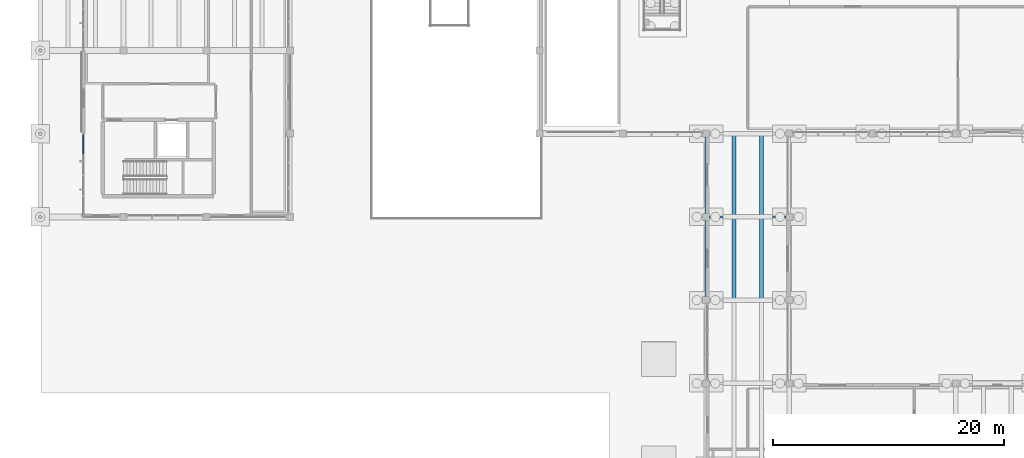
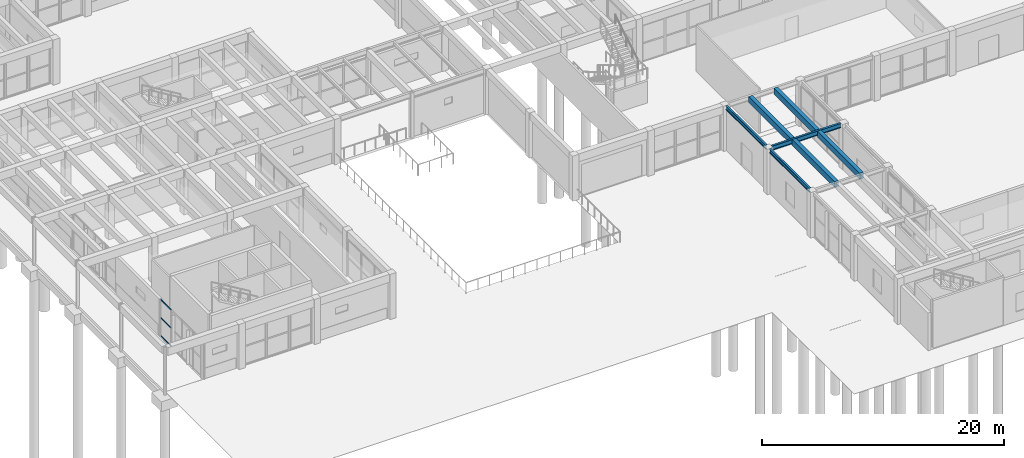
# One storey, part 17 of 155: 7 beams, 3 members, 1 element without a shape of its own.
"""IFC4 building model written with IfcOpenShell, lengths in metres."""

from ifc_helpers import new_model, si_unit, direction, frame, origin, origin_2d, place, context, subcontext, project, spatial, rectangle, hollow_rectangle, i_section, extrude, material, material_profile, profile_set, type_object, element, aggregate, save


model = new_model("IFC4")

# Units and contexts
model_context = context("Model", 3, precision=1e-05, world=origin(), true_north=direction((0.0, 1.0)))
body_context = subcontext(model_context, "Body", "Model", "MODEL_VIEW")
ifc_project = project(units=[si_unit("LENGTHUNIT", "METRE"), si_unit("AREAUNIT", "SQUARE_METRE"), si_unit("VOLUMEUNIT", "CUBIC_METRE"), si_unit("PLANEANGLEUNIT", "RADIAN"), si_unit("MASSUNIT", "GRAM", prefix="KILO")], contexts=[model_context])

# Site, building, storey
site_placement = place(None, origin())
site = spatial("IfcSite", under=ifc_project, at=site_placement, CompositionType="ELEMENT")
building_placement = place(site_placement, origin())
building = spatial("IfcBuilding", under=site, at=building_placement, Name="Bramvelor Terrace Health Centre", CompositionType="ELEMENT")
storey_placement = place(building_placement, origin())
storey = spatial("IfcBuildingStorey", under=building, at=storey_placement, Name="L01", CompositionType="ELEMENT", Elevation=0.0)

# Beams
ifc_material_1 = material(Name="Concrete C40/50", Category="concrete")
ifc_material_profile_1 = material_profile(ifc_material_1, rectangle(XDim=0.35009765625, YDim=0.60009765625, at=origin_2d()), Name="RC 350x600")
ifc_profile_set_1 = profile_set([ifc_material_profile_1], Name="Concrete C40/50")
beam_type_1 = type_object("IfcBeamType", Name="BM-RC-J600", PredefinedType="JOIST", material=ifc_profile_set_1)
for number, where, z_axis, x_axis, name in (
    (1, (60.0, 21.695068359375, 4.280029296875), (0.0, 1.0, 0.0), (-1.0, 0.0, 0.0), "L01 Secondary Floor Joist"),
    (2, (62.39990234375, 21.695068359375, 4.280029296875), (0.0, 1.0, 0.0), (-1.0, 0.0, 0.0), "L01 Secondary Floor Joist"),
    (3, (60.0, 28.89501953125, 4.260009765625), (0.0, 1.0, 0.0), (-1.0, 0.0, 0.0), "L01 Secondary Floor Joist"),
    (4, (62.39990234375, 28.89501953125, 4.260009765625), (0.0, 1.0, 0.0), (-1.0, 0.0, 0.0), "L01 Secondary Floor Joist"),
):
    element("IfcBeam", number, at=place(storey_placement, frame(where, z_axis=z_axis, x_axis=x_axis)), inside=storey, type_object=beam_type_1, Name=name, PredefinedType="JOIST", context=body_context, shape_type="SweptSolid", body=[
        extrude(rectangle(XDim=0.35009765625, YDim=0.60009765625, at=origin_2d()), origin(), (0.0, 0.0, 1.0), 7.010009765625),
    ])
ifc_material_2 = material(Name="Steel S355J2", Category="steel")
ifc_material_profile_2 = material_profile(ifc_material_2, i_section(OverallWidth=0.177978515625, OverallDepth=0.406494140625, WebThickness=0.0078125, FlangeThickness=0.0126953125, FilletRadius=0.01025390625, at=origin_2d()), Name="UB 406x178x60")
ifc_profile_set_2 = profile_set([ifc_material_profile_2], Name="Steel S355J2")
beam_type_2 = type_object("IfcBeamType", Name="BM-STL-UB406", PredefinedType="BEAM", material=ifc_profile_set_2)
beam_1_placement = place(storey_placement, frame((57.60009765625, 21.89990234375, 4.376708984375), z_axis=(0.0, 1.0, 0.0), x_axis=(-1.0, 0.0, 0.0)))
element("IfcBeam", 5, at=beam_1_placement, inside=storey, type_object=beam_type_2, Name="L01 Floor Girder", PredefinedType="BEAM", context=body_context, shape_type="SweptSolid", body=[
    extrude(i_section(OverallWidth=0.177978515625, OverallDepth=0.406494140625, WebThickness=0.0078125, FlangeThickness=0.0126953125, FilletRadius=0.01025390625, at=origin_2d()), origin(), (0.0, 0.0, 1.0), 6.60009765625),
])
beam_2_placement = place(storey_placement, frame((57.60009765625, 29.10009765625, 4.356689453125), z_axis=(0.0, 1.0, 0.0), x_axis=(-1.0, 0.0, 0.0)))
element("IfcBeam", 6, at=beam_2_placement, inside=storey, type_object=beam_type_2, Name="L01 Floor Girder", PredefinedType="BEAM", context=body_context, shape_type="SweptSolid", body=[
    extrude(i_section(OverallWidth=0.177978515625, OverallDepth=0.406494140625, WebThickness=0.0078125, FlangeThickness=0.0126953125, FilletRadius=0.01025390625, at=origin_2d()), origin(), (0.0, 0.0, 1.0), 6.599853515625),
])
ifc_material_3 = material(Name="Steel S355J2", Category="steel")
ifc_material_profile_3 = material_profile(ifc_material_3, i_section(OverallWidth=0.18994140625, OverallDepth=0.453369140625, WebThickness=0.008544921875, FlangeThickness=0.0126953125, FilletRadius=0.01025390625, at=origin_2d()), Name="UB 457x191x67")
ifc_profile_set_3 = profile_set([ifc_material_profile_3], Name="Steel S355J2")
beam_type_3 = type_object("IfcBeamType", Name="BM-STL-UB457", PredefinedType="BEAM", material=ifc_profile_set_3)
beam_3_placement = place(storey_placement, frame((57.89990234375, 28.800048828125, 4.353271484375), z_axis=(1.0, 0.0, 0.0), x_axis=(0.0, 1.0, 0.0)))
element("IfcBeam", 7, at=beam_3_placement, inside=storey, type_object=beam_type_3, Name="L01 Floor Girder", PredefinedType="BEAM", context=body_context, shape_type="SweptSolid", body=[
    extrude(i_section(OverallWidth=0.18994140625, OverallDepth=0.453369140625, WebThickness=0.008544921875, FlangeThickness=0.0126953125, FilletRadius=0.01025390625, at=origin_2d()), origin(), (0.0, 0.0, 1.0), 6.60009765625),
])

# Curtain wall, members
ifc_material_4 = material(Name="Anodized aluminium and double low-E glass", Category="aluminium")
curtain_wall_type = type_object("IfcCurtainWallType", Name="CW-SYS-03", PredefinedType="NOTDEFINED", material=ifc_material_4)
curtain_wall_placement = place(storey_placement, origin())
curtain_wall = element("IfcCurtainWall", 8, at=curtain_wall_placement, inside=storey, type_object=curtain_wall_type, Name="L01 Unitized Curtain Wall 7", PredefinedType="NOTDEFINED")
ifc_material_5 = material(Name="Anodized aluminium 6063-T6", Category="aluminium")
ifc_material_profile_4 = material_profile(ifc_material_5, hollow_rectangle(XDim=0.06494140625, YDim=0.1201171875, WallThickness=0.0029296875, at=origin_2d()), Name="ALU-TRN 65x120x3.0")
ifc_profile_set_4 = profile_set([ifc_material_profile_4], Name="Anodized aluminium 6063-T6")
member_type = type_object("IfcMemberType", Name="CW-TRN-65x150", PredefinedType="USERDEFINED", material=ifc_profile_set_4)
member_1_placement = place(storey_placement, frame((3.72998046875, 34.232421875, 0.032470703125), z_axis=(0.0, 1.0, 0.0), x_axis=(-1.0, 0.0, 0.0)))
member_1 = element("IfcMember", 9, at=member_1_placement, type_object=member_type, Name="CW-03 transom 4.1", ObjectType="TRANSOM", PredefinedType="USERDEFINED", context=body_context, shape_type="SweptSolid", body=[
    extrude(hollow_rectangle(XDim=0.06494140625, YDim=0.1201171875, WallThickness=0.0029296875, at=origin_2d()), origin(), (0.0, 0.0, 1.0), 1.692626953125),
])
member_2_placement = place(storey_placement, frame((3.72998046875, 34.232421875, 1.860107421875), z_axis=(0.0, 1.0, 0.0), x_axis=(-1.0, 0.0, 0.0)))
member_2 = element("IfcMember", 10, at=member_2_placement, type_object=member_type, Name="CW-03 transom 4.2", ObjectType="TRANSOM", PredefinedType="USERDEFINED", context=body_context, shape_type="SweptSolid", body=[
    extrude(hollow_rectangle(XDim=0.06494140625, YDim=0.1201171875, WallThickness=0.0029296875, at=origin_2d()), origin(), (0.0, 0.0, 1.0), 1.692626953125),
])
member_3_placement = place(storey_placement, frame((3.72998046875, 34.232421875, 3.6875), z_axis=(0.0, 1.0, 0.0), x_axis=(-1.0, 0.0, 0.0)))
member_3 = element("IfcMember", 11, at=member_3_placement, type_object=member_type, Name="CW-03 transom 4.3", ObjectType="TRANSOM", PredefinedType="USERDEFINED", context=body_context, shape_type="SweptSolid", body=[
    extrude(hollow_rectangle(XDim=0.06494140625, YDim=0.1201171875, WallThickness=0.0029296875, at=origin_2d()), origin(), (0.0, 0.0, 1.0), 1.692626953125),
])
aggregate(curtain_wall, [member_1, member_2, member_3])

save(model, "model.ifc")
